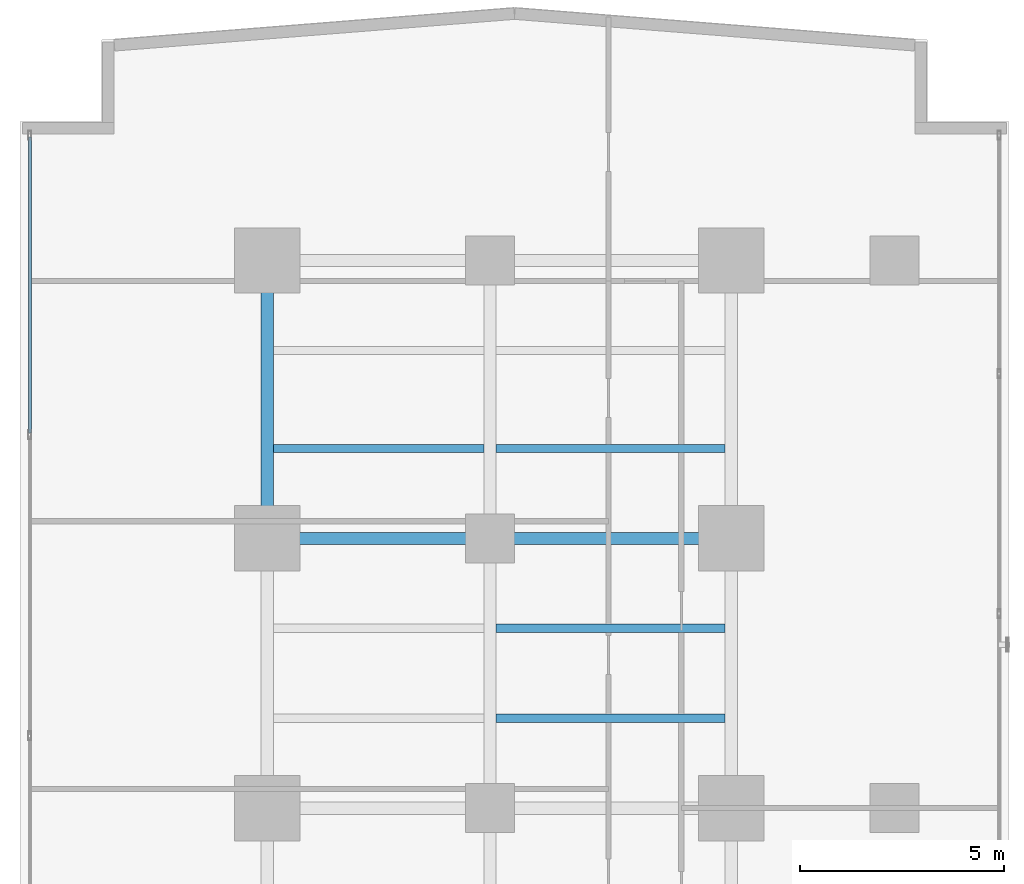
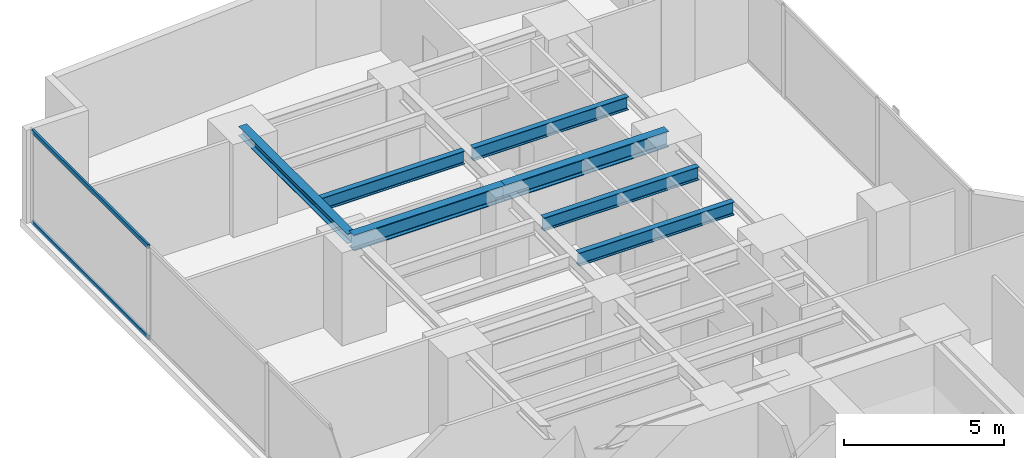
# One storey, part 16 of 27: 7 beams, 2 members, 1 element without a shape of its own.
"""IFC4 building model written with IfcOpenShell, lengths in metres."""

import ifcopenshell
import ifcopenshell.guid

model = None  # the IFC model being written
_history = None  # IfcOwnerHistory: only IFC2X3 demands one
_inside = {}  # id of a spatial element -> (the spatial element, [elements in it])
_under = {}  # id of a project, library or spatial element -> (it, [spatial elements below it])
_declared = {}  # id of a project -> (the project, [libraries it declares])
_typed = {}  # id of a type object -> (the type object, [elements of that type])
_made_of = {}  # id of a material, layer set ... -> (it, [elements and type objects made of it])


def new_model(schema):
    """Start an empty IFC model of exactly this schema.

    Asked for "IFC4X3", IfcOpenShell would pick the latest addendum, in which some entities
    have other attributes; the version numbers below select the first issue.
    IFC2X3 requires an IfcOwnerHistory on every rooted entity: one is made here for all.
    """
    global model, _history
    if schema == "IFC4X3":
        model = ifcopenshell.file(schema_version=(4, 3, 0, 0))
    else:
        model = ifcopenshell.file(schema=schema)
    _inside.clear()
    _under.clear()
    _declared.clear()
    _typed.clear()
    _made_of.clear()
    _history = None
    if model.schema == "IFC2X3":
        org = make("IfcOrganization", Name="unknown")
        user = make(
            "IfcPersonAndOrganization",
            ThePerson=make("IfcPerson", FamilyName="unknown"),
            TheOrganization=org,
        )
        app = make(
            "IfcApplication",
            ApplicationDeveloper=org,
            Version="unknown",
            ApplicationFullName="unknown",
            ApplicationIdentifier="unknown",
        )
        _history = make(
            "IfcOwnerHistory",
            OwningUser=user,
            OwningApplication=app,
            ChangeAction="ADDED",
            CreationDate=0,
        )
    return model


def make(cls, **values):
    """One entity of the class cls with the attributes given. An attribute that is None is left unset."""
    return model.create_entity(
        cls, **{name: value for name, value in values.items() if value is not None}
    )


def rooted(cls, **values):
    """An entity with a GlobalId (a new one), such as an element, a storey or a relation."""
    return make(cls, GlobalId=ifcopenshell.guid.new(), OwnerHistory=_history, **values)


def si_unit(unit_type, name, prefix=None):
    """IfcSIUnit, for example si_unit("LENGTHUNIT", "METRE", prefix="MILLI")."""
    return make("IfcSIUnit", UnitType=unit_type, Prefix=prefix, Name=name)


def assignment(units):
    """IfcUnitAssignment: the units of a project."""
    return None if units is None else make("IfcUnitAssignment", Units=units)


def point(xyz):
    """IfcCartesianPoint."""
    return None if xyz is None else make("IfcCartesianPoint", Coordinates=xyz)


def direction(xyz):
    """IfcDirection."""
    return None if xyz is None else make("IfcDirection", DirectionRatios=xyz)


def frame(location, z_axis=None, x_axis=None):
    """IfcAxis2Placement3D, a coordinate frame: its origin and axes. An axis left out is left unset."""
    return make(
        "IfcAxis2Placement3D",
        Location=point(location),
        Axis=direction(z_axis),
        RefDirection=direction(x_axis),
    )


def frame_2d(location, x_axis=None):
    """IfcAxis2Placement2D, a coordinate frame in the plane: its origin and x axis."""
    return make(
        "IfcAxis2Placement2D", Location=point(location), RefDirection=direction(x_axis)
    )


def origin():
    """The frame at (0, 0, 0) with its axes left unset."""
    return frame((0.0, 0.0, 0.0))


def origin_with_axes():
    """The frame at (0, 0, 0) with the z axis (0, 0, 1) and the x axis (1, 0, 0) written out."""
    return frame((0.0, 0.0, 0.0), z_axis=(0.0, 0.0, 1.0), x_axis=(1.0, 0.0, 0.0))


def origin_2d():
    """The frame at (0, 0) in the plane with its x axis left unset."""
    return frame_2d((0.0, 0.0))


def place(relative_to, where):
    """IfcLocalPlacement: puts the frame where relative to a parent placement (None: the world)."""
    return make(
        "IfcLocalPlacement", PlacementRelTo=relative_to, RelativePlacement=where
    )


def context(
    kind, dimensions, precision=None, world=None, true_north=None, identifier=None
):
    """IfcGeometricRepresentationContext, for example the 3D "Model" context."""
    return make(
        "IfcGeometricRepresentationContext",
        ContextIdentifier=identifier,
        ContextType=kind,
        CoordinateSpaceDimension=dimensions,
        Precision=precision,
        WorldCoordinateSystem=world,
        TrueNorth=true_north,
    )


def subcontext(parent, identifier, kind, view, scale=None):
    """IfcGeometricRepresentationSubContext, for example "Body" below "Model"."""
    return make(
        "IfcGeometricRepresentationSubContext",
        ContextIdentifier=identifier,
        ContextType=kind,
        ParentContext=parent,
        TargetScale=scale,
        TargetView=view,
    )


def project(units=None, contexts=None):
    """IfcProject with its units and contexts."""
    return rooted(
        "IfcProject",
        Name="project",
        RepresentationContexts=contexts,
        UnitsInContext=assignment(units),
    )


def spatial(cls, under=None, at=None, **own):
    """A site, building, storey or space (cls), placed at a placement, below another one or the project."""
    s = rooted(cls, ObjectPlacement=at, **own)
    if under is not None:
        _under.setdefault(under.id(), (under, []))[1].append(s)
    return s


def profile(cls, at=None, kind="AREA", **sizes):
    """A parametric profile (cls). Its sizes go by their IFC names, for example OverallWidth=200.0."""
    return make(cls, ProfileType=kind, Position=at, **sizes)


def hollow_rectangle(**sizes):
    """IfcRectangleHollowProfileDef."""
    return profile("IfcRectangleHollowProfileDef", **sizes)


def i_section(**sizes):
    """IfcIShapeProfileDef."""
    return profile("IfcIShapeProfileDef", **sizes)


def extrude(swept, where, along, depth):
    """IfcExtrudedAreaSolid: the profile swept, set in the frame where, extruded along a direction by depth."""
    return make(
        "IfcExtrudedAreaSolid",
        SweptArea=swept,
        Position=where,
        ExtrudedDirection=direction(along),
        Depth=depth,
    )


def shape(context_of_items, identifier, shape_type, items):
    """IfcShapeRepresentation: the items that make up one representation, for example the "Body"."""
    return make(
        "IfcShapeRepresentation",
        ContextOfItems=context_of_items,
        RepresentationIdentifier=identifier,
        RepresentationType=shape_type,
        Items=items,
    )


def source(mapping_origin, context_of_items, identifier, shape_type, items):
    """IfcRepresentationMap: a shape defined once, which mapped items show again and again."""
    return make(
        "IfcRepresentationMap",
        MappingOrigin=mapping_origin,
        MappedRepresentation=shape(context_of_items, identifier, shape_type, items),
    )


def transform(
    local_origin,
    x_axis=None,
    y_axis=None,
    z_axis=None,
    scale=None,
    scale2=None,
    scale3=None,
    uniform=True,
):
    """IfcCartesianTransformationOperator3D, or its non-uniform kind. x_axis, y_axis, z_axis: its Axis1, 2, 3."""
    if uniform:
        return make(
            "IfcCartesianTransformationOperator3D",
            Axis1=direction(x_axis),
            Axis2=direction(y_axis),
            LocalOrigin=point(local_origin),
            Scale=scale,
            Axis3=direction(z_axis),
        )
    return make(
        "IfcCartesianTransformationOperator3DnonUniform",
        Axis1=direction(x_axis),
        Axis2=direction(y_axis),
        LocalOrigin=point(local_origin),
        Scale=scale,
        Axis3=direction(z_axis),
        Scale2=scale2,
        Scale3=scale3,
    )


def mapped(mapping_source, mapping_target):
    """IfcMappedItem: shows the shape of a source again, moved by a transform."""
    return make(
        "IfcMappedItem", MappingSource=mapping_source, MappingTarget=mapping_target
    )


def material(Name=None, Category=None):
    """IfcMaterial."""
    return make("IfcMaterial", Name=Name, Category=Category)


def layer(
    of_material, thickness, ventilated=None, Name=None, Category=None, Priority=None
):
    """IfcMaterialLayer: one layer of a wall or slab, of a material (None: an air gap)."""
    return make(
        "IfcMaterialLayer",
        Material=of_material,
        LayerThickness=thickness,
        IsVentilated=ventilated,
        Name=Name,
        Category=Category,
        Priority=Priority,
    )


def layer_set(layers, Name=None):
    """IfcMaterialLayerSet."""
    return make("IfcMaterialLayerSet", MaterialLayers=layers, LayerSetName=Name)


def material_profile(
    of_material, cross_section, Name=None, Category=None, Priority=None
):
    """IfcMaterialProfile: a cross section and its material."""
    return make(
        "IfcMaterialProfile",
        Name=Name,
        Material=of_material,
        Profile=cross_section,
        Priority=Priority,
        Category=Category,
    )


def profile_set(profiles, Name=None, composite=None):
    """IfcMaterialProfileSet."""
    return make(
        "IfcMaterialProfileSet",
        Name=Name,
        MaterialProfiles=profiles,
        CompositeProfile=composite,
    )


def made_of(thing, what):
    """Note that an element or type object is made of a material, layer set ...; save() writes the relation."""
    if what is not None:
        _made_of.setdefault(what.id(), (what, []))[1].append(thing)
    return thing


def type_object(cls, material=None, **own):
    """A type object (cls), such as IfcWallType, which elements share."""
    return made_of(rooted(cls, **own), material)


def element(
    cls,
    number,
    at=None,
    inside=None,
    cuts=None,
    type_object=None,
    material=None,
    context=None,
    identifier="Body",
    shape_type=None,
    held_by="IfcProductDefinitionShape",
    body=None,
    shapes=None,
    **own,
):
    """One element of the class cls, such as IfcWall. Its Tag is "e" and its number.

    at: its placement. inside: the storey or other place that contains it. cuts: it is an
    opening in that element (IfcRelVoidsElement). A single representation is given by context,
    identifier, shape_type and body (its items); several are given by shapes. held_by: the class
    of the entity that holds the representations. save() writes the other relations.
    """
    e = rooted(cls, Tag="e%d" % number, ObjectPlacement=at, **own)
    if body is not None:
        shapes = [shape(context, identifier, shape_type, body)]
    if shapes is not None:
        e.Representation = make(held_by, Representations=shapes)
    if inside is not None:
        _inside.setdefault(inside.id(), (inside, []))[1].append(e)
    if cuts is not None:
        rooted(
            "IfcRelVoidsElement", RelatingBuildingElement=cuts, RelatedOpeningElement=e
        )
    if type_object is not None:
        _typed.setdefault(type_object.id(), (type_object, []))[1].append(e)
    return made_of(e, material)


def aggregate(whole, parts):
    """IfcRelAggregates: a whole, such as a stair, and the parts it consists of."""
    return rooted("IfcRelAggregates", RelatingObject=whole, RelatedObjects=parts)


def save(model, path):
    """Write the relations noted so far, then the file.

    IfcRelAggregates (storeys below a building ...), IfcRelContainedInSpatialStructure (elements
    in a storey), IfcRelDefinesByType, IfcRelAssociatesMaterial and IfcRelDeclares: one each for
    every whole, place, type object, material and project.
    """
    for whole, parts in _under.values():
        aggregate(whole, parts)
    for where, things in _inside.values():
        rooted(
            "IfcRelContainedInSpatialStructure",
            RelatedElements=things,
            RelatingStructure=where,
        )
    for kind, things in _typed.values():
        rooted("IfcRelDefinesByType", RelatedObjects=things, RelatingType=kind)
    for what, things in _made_of.values():
        rooted("IfcRelAssociatesMaterial", RelatedObjects=things, RelatingMaterial=what)
    for by, libraries in _declared.values():
        rooted("IfcRelDeclares", RelatingContext=by, RelatedDefinitions=libraries)
    model.write(path)


model = new_model("IFC4")

# Units and contexts
model_context = context("Model", 3, precision=1e-05, world=origin(), true_north=direction((0.0, 1.0)))
body_context = subcontext(model_context, "Body", "Model", "MODEL_VIEW")
ifc_project = project(units=[si_unit("LENGTHUNIT", "METRE"), si_unit("AREAUNIT", "SQUARE_METRE"), si_unit("VOLUMEUNIT", "CUBIC_METRE"), si_unit("PLANEANGLEUNIT", "RADIAN"), si_unit("MASSUNIT", "GRAM", prefix="KILO")], contexts=[model_context])

# Site, building, storey
site_placement = place(None, origin())
site = spatial("IfcSite", under=ifc_project, at=site_placement, CompositionType="ELEMENT")
building_placement = place(site_placement, origin())
building = spatial("IfcBuilding", under=site, at=building_placement, Name="Kolvaren Waterfront Exchange", CompositionType="ELEMENT")
storey_placement = place(building_placement, frame((0.0, 0.0, 63.800048828125)))
storey = spatial("IfcBuildingStorey", under=building, at=storey_placement, Name="L16", CompositionType="ELEMENT", Elevation=63.800048828125)

# Beams
ifc_material_1 = material(Name="Steel S355", Category="steel")
ifc_material_profile_1 = material_profile(ifc_material_1, i_section(OverallWidth=0.300048828125, OverallDepth=0.360107421875, WebThickness=0.012451171875, FlangeThickness=0.0224609375, FilletRadius=0.027099609375, at=origin_2d()), Name="HEB360")
ifc_profile_set_1 = profile_set([ifc_material_profile_1], Name="Steel S355")
beam_type_1 = type_object("IfcBeamType", Name="STR-BM-HEB360", PredefinedType="SPANDREL", material=ifc_profile_set_1)
beam_1_placement = place(storey_placement, frame((7.449951171875, 37.800048828125, 3.35986328125), z_axis=(0.0, 1.0, 0.0), x_axis=(-1.0, 0.0, 0.0)))
element("IfcBeam", 1, at=beam_1_placement, inside=storey, type_object=beam_type_1, Name="L16 north-arm edge beam 3", PredefinedType="SPANDREL", context=body_context, shape_type="SweptSolid", body=[
    extrude(i_section(OverallWidth=0.300048828125, OverallDepth=0.360107421875, WebThickness=0.012451171875, FlangeThickness=0.0224609375, FilletRadius=0.027099609375, at=origin_2d()), origin(), (0.0, 0.0, 1.0), 6.800048828125),
])
ifc_material_profile_2 = material_profile(ifc_material_1, i_section(OverallWidth=0.300048828125, OverallDepth=0.60009765625, WebThickness=0.015380859375, FlangeThickness=0.030029296875, FilletRadius=0.027099609375, at=origin_2d()), Name="HEB600")
ifc_profile_set_2 = profile_set([ifc_material_profile_2], Name="Steel S355")
beam_type_2 = type_object("IfcBeamType", Name="STR-BM-HEB600", PredefinedType="BEAM", material=ifc_profile_set_2)
beam_2_placement = place(storey_placement, frame((7.449951171875, 37.800048828125, 3.239990234375), z_axis=(1.0, 0.0, 0.0), x_axis=(0.0, 1.0, 0.0)))
element("IfcBeam", 2, at=beam_2_placement, inside=storey, type_object=beam_type_2, Name="L16 north-arm girder 3A", PredefinedType="BEAM", context=body_context, shape_type="SweptSolid", body=[
    extrude(i_section(OverallWidth=0.300048828125, OverallDepth=0.60009765625, WebThickness=0.015380859375, FlangeThickness=0.030029296875, FilletRadius=0.027099609375, at=origin_2d()), origin(), (0.0, 0.0, 1.0), 5.449951171875),
])
beam_3_placement = place(storey_placement, frame((12.89990234375, 37.800048828125, 3.239990234375), z_axis=(1.0, 0.0, 0.0), x_axis=(0.0, 1.0, 0.0)))
element("IfcBeam", 3, at=beam_3_placement, inside=storey, type_object=beam_type_2, Name="L16 north-arm girder 3B", PredefinedType="BEAM", context=body_context, shape_type="SweptSolid", body=[
    extrude(i_section(OverallWidth=0.300048828125, OverallDepth=0.60009765625, WebThickness=0.015380859375, FlangeThickness=0.030029296875, FilletRadius=0.027099609375, at=origin_2d()), origin(), (0.0, 0.0, 1.0), 5.900146484375),
])
ifc_material_profile_3 = material_profile(ifc_material_1, i_section(OverallWidth=0.199951171875, OverallDepth=0.5, WebThickness=0.01025390625, FlangeThickness=0.01611328125, FilletRadius=0.02099609375, at=origin_2d()), Name="IPE500")
ifc_profile_set_3 = profile_set([ifc_material_profile_3], Name="Steel S355")
beam_type_3 = type_object("IfcBeamType", Name="STR-BM-IPE500", PredefinedType="JOIST", material=ifc_profile_set_3)
for number, where, z_axis, x_axis, name in (
    (4, (13.052001953125, 33.39990234375, 3.2900390625), (1.0, 0.0, 0.0), (0.0, 1.0, 0.0), "L16 north-arm composite joist 3B"),
    (5, (13.052001953125, 35.60009765625, 3.2900390625), (1.0, 0.0, 0.0), (0.0, 1.0, 0.0), "L16 north-arm composite joist 4B"),
):
    element("IfcBeam", number, at=place(storey_placement, frame(where, z_axis=z_axis, x_axis=x_axis)), inside=storey, type_object=beam_type_3, Name=name, PredefinedType="JOIST", context=body_context, shape_type="SweptSolid", body=[
        extrude(i_section(OverallWidth=0.199951171875, OverallDepth=0.5, WebThickness=0.01025390625, FlangeThickness=0.01611328125, FilletRadius=0.02099609375, at=origin_2d()), origin(), (0.0, 0.0, 1.0), 5.595947265625),
    ])
beam_4_placement = place(storey_placement, frame((7.60205078125, 40.0, 3.2900390625), z_axis=(1.0, 0.0, 0.0), x_axis=(0.0, 1.0, 0.0)))
element("IfcBeam", 6, at=beam_4_placement, inside=storey, type_object=beam_type_3, Name="L16 north-arm composite joist 5A", PredefinedType="JOIST", context=body_context, shape_type="SweptSolid", body=[
    extrude(i_section(OverallWidth=0.199951171875, OverallDepth=0.5, WebThickness=0.01025390625, FlangeThickness=0.01611328125, FilletRadius=0.02099609375, at=origin_2d()), origin(), (0.0, 0.0, 1.0), 5.14599609375),
])
beam_5_placement = place(storey_placement, frame((13.052001953125, 40.0, 3.2900390625), z_axis=(1.0, 0.0, 0.0), x_axis=(0.0, 1.0, 0.0)))
element("IfcBeam", 7, at=beam_5_placement, inside=storey, type_object=beam_type_3, Name="L16 north-arm composite joist 5B", PredefinedType="JOIST", context=body_context, shape_type="SweptSolid", body=[
    extrude(i_section(OverallWidth=0.199951171875, OverallDepth=0.5, WebThickness=0.01025390625, FlangeThickness=0.01611328125, FilletRadius=0.02099609375, at=origin_2d()), origin(), (0.0, 0.0, 1.0), 5.595947265625),
])

# Curtain wall, members
ifc_material_2 = material(Name="Anodised aluminium 6063-T6", Category="aluminium")
ifc_layer = layer(ifc_material_2, 0.219970703125, Name="Anodised aluminium 6063-T6")
ifc_layer_set = layer_set([ifc_layer], Name="Anodised aluminium 6063-T6")
curtain_wall_type = type_object("IfcCurtainWallType", Name="ARC-CW-SYS2", PredefinedType="USERDEFINED", material=ifc_layer_set)
curtain_wall_placement = place(storey_placement, origin())
curtain_wall = element("IfcCurtainWall", 8, at=curtain_wall_placement, inside=storey, type_object=curtain_wall_type, Name="L16 stick curtain wall CW2 (CW-L16-W)", ObjectType="STICK CURTAIN WALL", PredefinedType="USERDEFINED")
ifc_material_profile_4 = material_profile(ifc_material_2, hollow_rectangle(XDim=0.074951171875, YDim=0.159912109375, WallThickness=0.00439453125, at=origin_2d()), Name="ALU-TRN-160x75x4.5")
ifc_profile_set_4 = profile_set([ifc_material_profile_4], Name="Anodised aluminium 6063-T6")
member_type = type_object("IfcMemberType", Name="ARC-CWT-160", PredefinedType="USERDEFINED", material=ifc_profile_set_4)
shared_shape = source(origin_with_axes(), body_context, "Body", "SweptSolid", [
    extrude(hollow_rectangle(XDim=0.074951171875, YDim=0.159912109375, WallThickness=0.00439453125, at=origin_2d()), origin(), (0.0, 0.0, 1.0), 7.246826171875),
])
member_1_placement = place(storey_placement, frame((1.639892578125, 40.373291015625, 0.037353515625), z_axis=(0.0, 1.0, 0.0), x_axis=(-1.0, 0.0, 0.0)))
member_1 = element("IfcMember", 9, at=member_1_placement, type_object=member_type, Name="CW2 transom 6.1", ObjectType="TRANSOM", PredefinedType="USERDEFINED", context=body_context, shape_type="MappedRepresentation", body=[
    mapped(shared_shape, transform((0.0, 0.0, 0.0), x_axis=(1.0, 0.0, 0.0), y_axis=(0.0, 1.0, 0.0), z_axis=(0.0, 0.0, 1.0), scale=1.0)),
])
member_2_placement = place(storey_placement, frame((1.639892578125, 40.373291015625, 3.50244140625), z_axis=(0.0, 1.0, 0.0), x_axis=(-1.0, 0.0, 0.0)))
member_2 = element("IfcMember", 10, at=member_2_placement, type_object=member_type, Name="CW2 transom 6.2", ObjectType="TRANSOM", PredefinedType="USERDEFINED", context=body_context, shape_type="MappedRepresentation", body=[
    mapped(shared_shape, transform((0.0, 0.0, 0.0), x_axis=(1.0, 0.0, 0.0), y_axis=(0.0, 1.0, 0.0), z_axis=(0.0, 0.0, 1.0), scale=1.0)),
])
aggregate(curtain_wall, [member_1, member_2])

save(model, "model.ifc")
